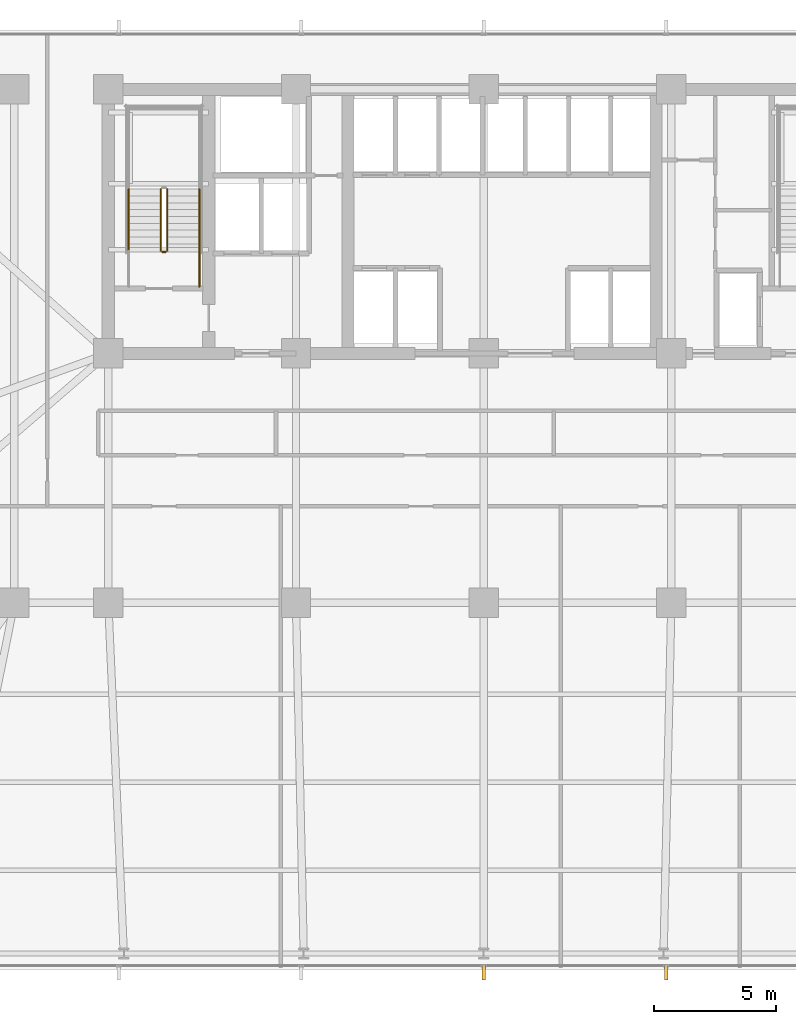
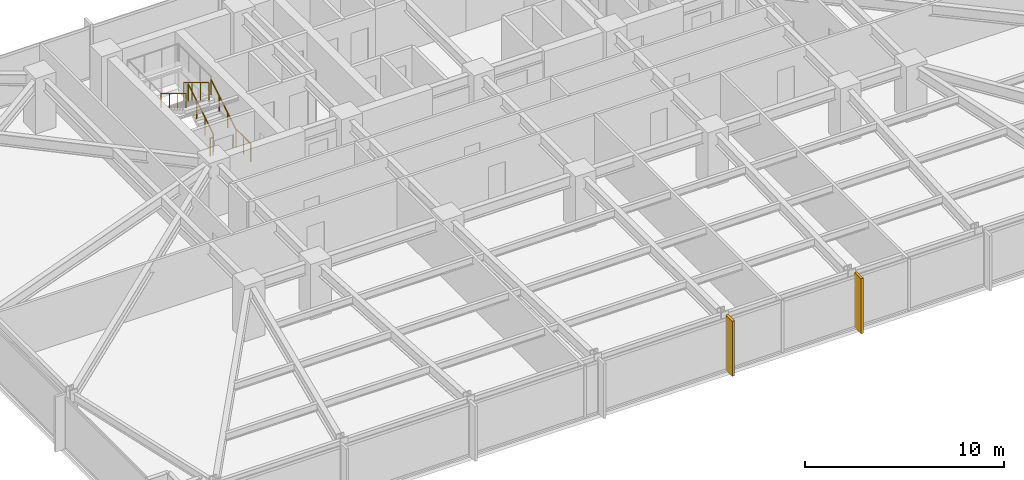
# One storey, part 28 of 32: 6 railings, 2 shading devices.
"""IFC4 building model written with IfcOpenShell, lengths in metres."""

from ifc_helpers import new_model, si_unit, direction, frame, origin, origin_2d, place, context, subcontext, project, spatial, rectangle, circle, extrude, material, layer, layer_set, type_object, element, save


model = new_model("IFC4")

# Units and contexts
model_context = context("Model", 3, precision=1e-05, world=origin(), true_north=direction((0.0, 1.0)))
body_context = subcontext(model_context, "Body", "Model", "MODEL_VIEW")
ifc_project = project(units=[si_unit("LENGTHUNIT", "METRE"), si_unit("AREAUNIT", "SQUARE_METRE"), si_unit("VOLUMEUNIT", "CUBIC_METRE"), si_unit("PLANEANGLEUNIT", "RADIAN"), si_unit("MASSUNIT", "GRAM", prefix="KILO")], contexts=[model_context])

# Site, building, storey
site_placement = place(None, origin())
site = spatial("IfcSite", under=ifc_project, at=site_placement, CompositionType="ELEMENT")
building_placement = place(site_placement, origin())
building = spatial("IfcBuilding", under=site, at=building_placement, Name="Yelkora Congress Tower", CompositionType="ELEMENT")
storey_placement = place(building_placement, frame((0.0, 0.0, 67.800048828125)))
storey = spatial("IfcBuildingStorey", under=building, at=storey_placement, Name="L17", CompositionType="ELEMENT", Elevation=67.800048828125)

# Railings
ifc_material_1 = material(Name="Painted galvanised steel stair well guard with vertical infill", Category="steel")
ifc_layer_1 = layer(ifc_material_1, 0.06005859375)
ifc_layer_set_1 = layer_set([ifc_layer_1], Name="Painted galvanised steel stair well guard with vertical infill")
railing_type_1 = type_object("IfcRailingType", Name="RAIL-STAIR-GUARD-1120", PredefinedType="GUARDRAIL", material=ifc_layer_set_1)
railing_1_placement = place(storey_placement, frame((25.449951171875, 39.60009765625, 0.169921875)))
element("IfcRailing", 1, at=railing_1_placement, inside=storey, type_object=railing_type_1, Name="ST-01 L17 Stair Well Guardrail 1", PredefinedType="GUARDRAIL", context=body_context, shape_type="SweptSolid", body=[
    extrude(circle(Radius=0.02392578125, at=origin_2d()), frame((0.0, 0.0, 1.09619140625), z_axis=(0.0, 0.85478489116, 0.518982456201), x_axis=(-1.0, 0.0, 0.0)), (0.0, 0.0, 1.0), 2.9482421875),
    extrude(circle(Radius=0.02099609375, at=origin_2d()), origin(), (0.0, 0.0, 1.0), 1.072021484375),
    extrude(circle(Radius=0.02099609375, at=origin_2d()), frame((0.0, 0.840087890625, 0.510009765625)), (0.0, 0.0, 1.0), 1.072021484375),
    extrude(circle(Radius=0.02099609375, at=origin_2d()), frame((0.0, 1.679931640625, 1.02001953125)), (0.0, 0.0, 1.0), 1.072021484375),
    extrude(circle(Radius=0.02099609375, at=origin_2d()), frame((0.0, 2.52001953125, 1.530029296875)), (0.0, 0.0, 1.0), 1.072021484375),
])
railing_2_placement = place(storey_placement, frame((25.18994140625, 42.1201171875, 1.869873046875)))
element("IfcRailing", 2, at=railing_2_placement, inside=storey, type_object=railing_type_1, Name="ST-01 L17 Stair Well Guardrail 6", PredefinedType="GUARDRAIL", context=body_context, shape_type="SweptSolid", body=[
    extrude(circle(Radius=0.02392578125, at=origin_2d()), frame((0.0, 0.0, 1.09619140625), z_axis=(0.0, -0.85478489116, 0.518982456201), x_axis=(1.0, 0.0, 0.0)), (0.0, 0.0, 1.0), 2.9482421875),
    extrude(circle(Radius=0.02099609375, at=origin_2d()), origin(), (0.0, 0.0, 1.0), 1.072021484375),
    extrude(circle(Radius=0.02099609375, at=origin_2d()), frame((0.0, -0.840087890625, 0.510009765625)), (0.0, 0.0, 1.0), 1.072021484375),
    extrude(circle(Radius=0.02099609375, at=origin_2d()), frame((0.0, -1.679931640625, 1.02001953125)), (0.0, 0.0, 1.0), 1.072021484375),
    extrude(circle(Radius=0.02099609375, at=origin_2d()), frame((0.0, -2.52001953125, 1.530029296875)), (0.0, 0.0, 1.0), 1.072021484375),
])
railing_3_placement = place(storey_placement, frame((25.39990234375, 39.550048828125, 0.0)))
element("IfcRailing", 3, at=railing_3_placement, inside=storey, type_object=railing_type_1, Name="ST-01 L17 Stair Well Guardrail 7", PredefinedType="GUARDRAIL", context=body_context, shape_type="SweptSolid", body=[
    extrude(circle(Radius=0.02392578125, at=origin_2d()), frame((0.0, 0.0, 1.09619140625), z_axis=(-1.0, 0.0, 0.0), x_axis=(0.0, -1.0, 0.0)), (0.0, 0.0, 1.0), 0.159912109375),
    extrude(circle(Radius=0.02099609375, at=origin_2d()), origin(), (0.0, 0.0, 1.0), 1.072021484375),
    extrude(circle(Radius=0.02099609375, at=origin_2d()), frame((-0.159912109375, 0.0, 0.0)), (0.0, 0.0, 1.0), 1.072021484375),
])
railing_4_placement = place(storey_placement, frame((26.77001953125, 38.1201171875, 0.0)))
element("IfcRailing", 4, at=railing_4_placement, inside=storey, type_object=railing_type_1, Name="ST-01 L17 Stair Well Guardrail 8", PredefinedType="GUARDRAIL", context=body_context, shape_type="SweptSolid", body=[
    extrude(circle(Radius=0.02392578125, at=origin_2d()), frame((0.0, 0.0, 1.09619140625), z_axis=(0.0, 1.0, 0.0), x_axis=(-1.0, 0.0, 0.0)), (0.0, 0.0, 1.0), 1.47998046875),
    extrude(circle(Radius=0.02099609375, at=origin_2d()), origin(), (0.0, 0.0, 1.0), 1.072021484375),
    extrude(circle(Radius=0.02099609375, at=origin_2d()), frame((0.0, 0.739990234375, 0.0)), (0.0, 0.0, 1.0), 1.072021484375),
    extrude(circle(Radius=0.02099609375, at=origin_2d()), frame((0.0, 1.47998046875, 0.0)), (0.0, 0.0, 1.0), 1.072021484375),
])
ifc_material_2 = material(Name="Brushed stainless steel tubular handrail", Category="steel")
ifc_layer_2 = layer(ifc_material_2, 0.050048828125)
ifc_layer_set_2 = layer_set([ifc_layer_2], Name="Brushed stainless steel tubular handrail")
railing_type_2 = type_object("IfcRailingType", Name="RAIL-STAIR-HAND-920", PredefinedType="HANDRAIL", material=ifc_layer_set_2)
railing_5_placement = place(storey_placement, frame((26.77001953125, 39.60009765625, 0.169921875)))
element("IfcRailing", 5, at=railing_5_placement, inside=storey, type_object=railing_type_2, Name="ST-01 L17 Pitch Handrail 1", PredefinedType="HANDRAIL", context=body_context, shape_type="SweptSolid", body=[
    extrude(circle(Radius=0.02392578125, at=origin_2d()), frame((0.0, 0.0, 0.89599609375), z_axis=(0.0, 0.85478489116, 0.518982456201), x_axis=(-1.0, 0.0, 0.0)), (0.0, 0.0, 1.0), 2.9482421875),
    extrude(circle(Radius=0.02099609375, at=origin_2d()), origin(), (0.0, 0.0, 1.0), 0.871826171875),
    extrude(circle(Radius=0.02099609375, at=origin_2d()), frame((0.0, 0.840087890625, 0.510009765625)), (0.0, 0.0, 1.0), 0.871826171875),
    extrude(circle(Radius=0.02099609375, at=origin_2d()), frame((0.0, 1.679931640625, 1.02001953125)), (0.0, 0.0, 1.0), 0.871826171875),
    extrude(circle(Radius=0.02099609375, at=origin_2d()), frame((0.0, 2.52001953125, 1.530029296875)), (0.0, 0.0, 1.0), 0.871826171875),
])
railing_6_placement = place(storey_placement, frame((23.8701171875, 42.1201171875, 1.869873046875)))
element("IfcRailing", 6, at=railing_6_placement, inside=storey, type_object=railing_type_2, Name="ST-01 L17 Pitch Handrail 2", PredefinedType="HANDRAIL", context=body_context, shape_type="SweptSolid", body=[
    extrude(circle(Radius=0.02392578125, at=origin_2d()), frame((0.0, 0.0, 0.89599609375), z_axis=(0.0, -0.85478489116, 0.518982456201), x_axis=(1.0, 0.0, 0.0)), (0.0, 0.0, 1.0), 2.9482421875),
    extrude(circle(Radius=0.02099609375, at=origin_2d()), origin(), (0.0, 0.0, 1.0), 0.871826171875),
    extrude(circle(Radius=0.02099609375, at=origin_2d()), frame((0.0, -0.840087890625, 0.510009765625)), (0.0, 0.0, 1.0), 0.871826171875),
    extrude(circle(Radius=0.02099609375, at=origin_2d()), frame((0.0, -1.679931640625, 1.02001953125)), (0.0, 0.0, 1.0), 0.871826171875),
    extrude(circle(Radius=0.02099609375, at=origin_2d()), frame((0.0, -2.52001953125, 1.530029296875)), (0.0, 0.0, 1.0), 0.871826171875),
])

# Shading devices
ifc_material_3 = material(Name="Champagne anodised aluminium", Category="aluminium")
ifc_layer_3 = layer(ifc_material_3, 3.39990234375)
ifc_layer_set_3 = layer_set([ifc_layer_3], Name="Champagne anodised aluminium")
shading_device_type = type_object("IfcShadingDeviceType", Name="SHD-FIN-ALU-640", PredefinedType="USERDEFINED", material=ifc_layer_set_3)
for number, where, z_axis, x_axis, name in (
    (7, (45.864990234375, 10.080078125, -0.030029296875), (0.0, 0.0, 1.0), (-1.0, 0.0, 0.0), "L17 Vertical Anodised Solar Fin 20-3"),
    (8, (38.39990234375, 10.080078125, -0.030029296875), (0.0, 0.0, 1.0), (-1.0, 0.0, 0.0), "L17 Vertical Anodised Solar Fin 20-4"),
):
    element("IfcShadingDevice", number, at=place(storey_placement, frame(where, z_axis=z_axis, x_axis=x_axis)), inside=storey, type_object=shading_device_type, Name=name, ObjectType="FIN", PredefinedType="USERDEFINED", context=body_context, shape_type="SweptSolid", body=[
        extrude(rectangle(XDim=0.139892578125, YDim=0.639892578125, at=origin_2d()), origin(), (0.0, 0.0, 1.0), 3.3798828125),
    ])

save(model, "model.ifc")
